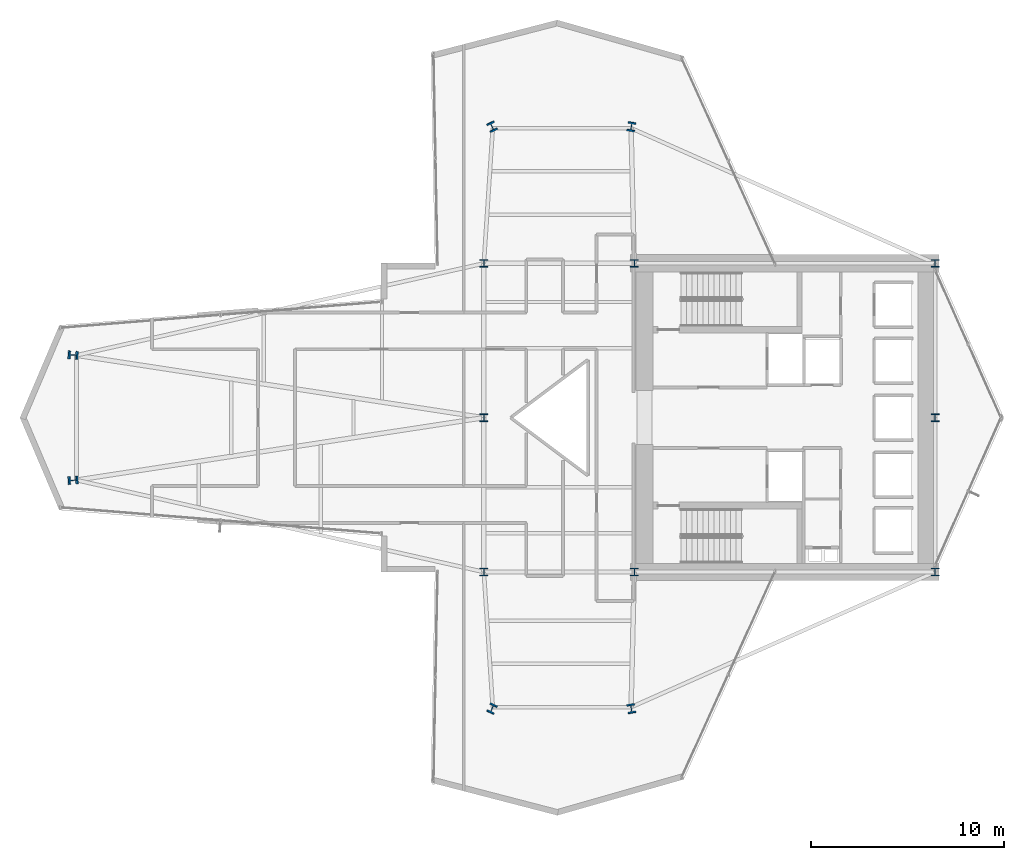
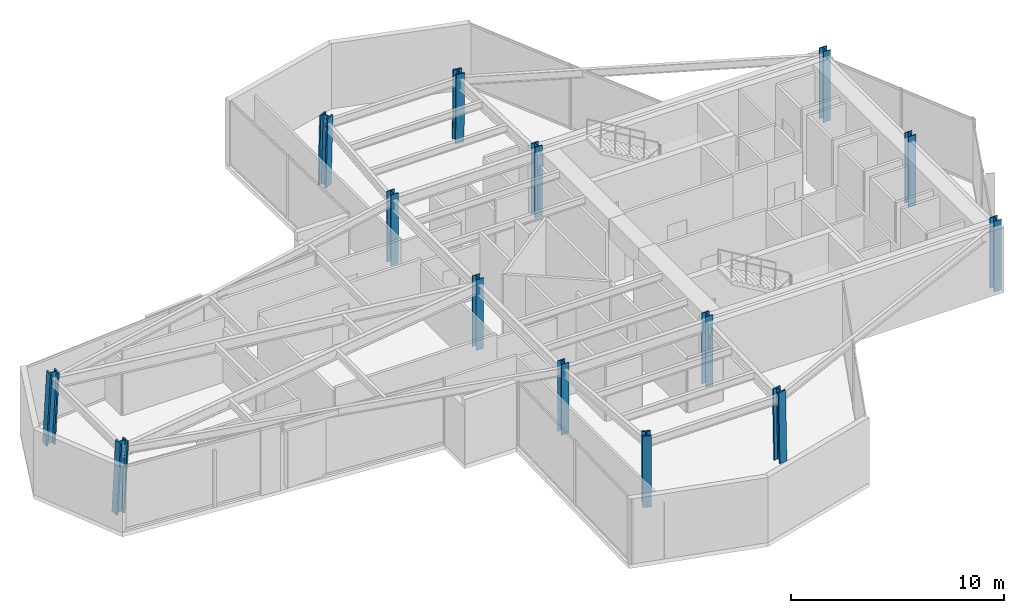
# One storey, part 1 of 25: 14 columns.
"""IFC4 building model written with IfcOpenShell, lengths in metres."""

from ifc_helpers import new_model, si_unit, direction, frame, origin, origin_2d, place, context, subcontext, project, spatial, i_section, extrude, material, material_profile, profile_set, type_object, element, save


model = new_model("IFC4")

# Units and contexts
model_context = context("Model", 3, precision=1e-05, world=origin(), true_north=direction((0.0, 1.0)))
body_context = subcontext(model_context, "Body", "Model", "MODEL_VIEW")
ifc_project = project(units=[si_unit("LENGTHUNIT", "METRE"), si_unit("AREAUNIT", "SQUARE_METRE"), si_unit("VOLUMEUNIT", "CUBIC_METRE"), si_unit("PLANEANGLEUNIT", "RADIAN"), si_unit("MASSUNIT", "GRAM", prefix="KILO")], contexts=[model_context])

# Site, building, storey
site_placement = place(None, origin())
site = spatial("IfcSite", under=ifc_project, at=site_placement, CompositionType="ELEMENT")
building_placement = place(site_placement, origin())
building = spatial("IfcBuilding", under=site, at=building_placement, Name="Veymaron Broadcast Tower", CompositionType="ELEMENT")
storey_placement = place(building_placement, frame((0.0, 0.0, 102.60009765625)))
storey = spatial("IfcBuildingStorey", under=building, at=storey_placement, Name="L23", CompositionType="ELEMENT", Elevation=102.60009765625)

# Columns
ifc_material = material(Name="Structural steel ASTM A913 Gr 65", Category="steel")
ifc_material_profile_1 = material_profile(ifc_material, i_section(OverallWidth=0.40087890625, OverallDepth=0.39892578125, WebThickness=0.02490234375, FlangeThickness=0.03955078125, at=origin_2d()), Name="W360X314")
ifc_profile_set_1 = profile_set([ifc_material_profile_1], Name="Structural steel ASTM A913 Gr 65")
column_type_1 = type_object("IfcColumnType", Name="COL-HC1", PredefinedType="COLUMN", material=ifc_profile_set_1)
for number, where, z_axis, x_axis, name in (
    (1, (31.199951171875, 16.0, 0.0), (0.0, 0.0, 1.0), (1.0, 0.0, 0.0), "L23 structural hub and core column"),
    (2, (31.199951171875, 24.0, 0.0), (0.0, 0.0, 1.0), (1.0, 0.0, 0.0), "L23 structural hub and core column"),
    (3, (31.199951171875, 32.0, 0.0), (0.0, 0.0, 1.0), (1.0, 0.0, 0.0), "L23 structural hub and core column"),
    (4, (39.0, 16.0, 0.0), (0.0, 0.0, 1.0), (1.0, 0.0, 0.0), "L23 structural hub and core column"),
    (5, (39.0, 32.0, 0.0), (0.0, 0.0, 1.0), (1.0, 0.0, 0.0), "L23 structural hub and core column"),
    (6, (54.60009765625, 16.0, 0.0), (0.0, 0.0, 1.0), (1.0, 0.0, 0.0), "L23 structural hub and core column"),
    (7, (54.60009765625, 24.0, 0.0), (0.0, 0.0, 1.0), (1.0, 0.0, 0.0), "L23 structural hub and core column"),
    (8, (54.60009765625, 32.0, 0.0), (0.0, 0.0, 1.0), (1.0, 0.0, 0.0), "L23 structural hub and core column"),
):
    element("IfcColumn", number, at=place(storey_placement, frame(where, z_axis=z_axis, x_axis=x_axis)), inside=storey, type_object=column_type_1, Name=name, PredefinedType="COLUMN", context=body_context, shape_type="SweptSolid", body=[
        extrude(i_section(OverallWidth=0.40087890625, OverallDepth=0.39892578125, WebThickness=0.02490234375, FlangeThickness=0.03955078125, at=origin_2d()), origin(), (0.0, 0.0, 1.0), 4.0439453125),
    ])
ifc_material_profile_2 = material_profile(ifc_material, i_section(OverallWidth=0.424072265625, OverallDepth=0.47412109375, WebThickness=0.047607421875, FlangeThickness=0.076904296875, at=origin_2d()), Name="W360X634")
ifc_profile_set_2 = profile_set([ifc_material_profile_2], Name="Structural steel ASTM A913 Gr 65")
column_type_2 = type_object("IfcColumnType", Name="COL-MC1", PredefinedType="COLUMN", material=ifc_profile_set_2)
for number, where, z_axis, x_axis, name in (
    (9, (9.8701171875, 20.75, 0.015869140625), (0.051395962808, 0.003701480202, 0.998671494562), (-0.071832842692, 0.997416684596, 0.0), "L23 Tapered Wing Mega Column"),
    (10, (9.8701171875, 27.25, 0.015869140625), (0.051395962808, -0.003701480202, 0.998671494562), (0.071832842692, 0.997416684596, 0.0), "L23 Tapered Wing Mega Column"),
):
    element("IfcColumn", number, at=place(storey_placement, frame(where, z_axis=z_axis, x_axis=x_axis)), inside=storey, type_object=column_type_2, Name=name, PredefinedType="COLUMN", context=body_context, shape_type="SweptSolid", body=[
        extrude(i_section(OverallWidth=0.424072265625, OverallDepth=0.47412109375, WebThickness=0.047607421875, FlangeThickness=0.076904296875, at=origin_2d()), origin(), (0.0, 0.0, 1.0), 4.0234375),
    ])
column_1_placement = place(storey_placement, frame((31.6201171875, 39.10009765625, 0.015869140625), z_axis=(0.010447648562, -0.022413850693, 0.999694186207), x_axis=(0.906371306068, 0.422482018004, 0.0)))
element("IfcColumn", 11, at=column_1_placement, inside=storey, type_object=column_type_2, Name="L23 Tapered Wing Mega Column", PredefinedType="COLUMN", context=body_context, shape_type="SweptSolid", body=[
    extrude(i_section(OverallWidth=0.424072265625, OverallDepth=0.47412109375, WebThickness=0.047607421875, FlangeThickness=0.076904296875, at=origin_2d()), origin(), (0.0, 0.0, 1.0), 4.019287109375),
])
column_2_placement = place(storey_placement, frame((38.85009765625, 39.10009765625, 0.015869140625), z_axis=(-0.003766191696, -0.022414915097, 0.999741660321), x_axis=(0.986176372522, -0.165699011101, 0.0)))
element("IfcColumn", 12, at=column_2_placement, inside=storey, type_object=column_type_2, Name="L23 Tapered Wing Mega Column", PredefinedType="COLUMN", context=body_context, shape_type="SweptSolid", body=[
    extrude(i_section(OverallWidth=0.424072265625, OverallDepth=0.47412109375, WebThickness=0.047607421875, FlangeThickness=0.076904296875, at=origin_2d()), origin(), (0.0, 0.0, 1.0), 4.01904296875),
])
column_3_placement = place(storey_placement, frame((31.6201171875, 8.89990234375, 0.015869140625), z_axis=(0.010447648562, 0.022413850693, 0.999694186207), x_axis=(-0.906371306068, 0.422482018004, 0.0)))
element("IfcColumn", 13, at=column_3_placement, inside=storey, type_object=column_type_2, Name="L23 Tapered Wing Mega Column", PredefinedType="COLUMN", context=body_context, shape_type="SweptSolid", body=[
    extrude(i_section(OverallWidth=0.424072265625, OverallDepth=0.47412109375, WebThickness=0.047607421875, FlangeThickness=0.076904296875, at=origin_2d()), origin(), (0.0, 0.0, 1.0), 4.019287109375),
])
column_4_placement = place(storey_placement, frame((38.85009765625, 8.89990234375, 0.015869140625), z_axis=(-0.003766191696, 0.022414915097, 0.999741660321), x_axis=(-0.986176372522, -0.165699011101, 0.0)))
element("IfcColumn", 14, at=column_4_placement, inside=storey, type_object=column_type_2, Name="L23 Tapered Wing Mega Column", PredefinedType="COLUMN", context=body_context, shape_type="SweptSolid", body=[
    extrude(i_section(OverallWidth=0.424072265625, OverallDepth=0.47412109375, WebThickness=0.047607421875, FlangeThickness=0.076904296875, at=origin_2d()), origin(), (0.0, 0.0, 1.0), 4.01904296875),
])

save(model, "model.ifc")
